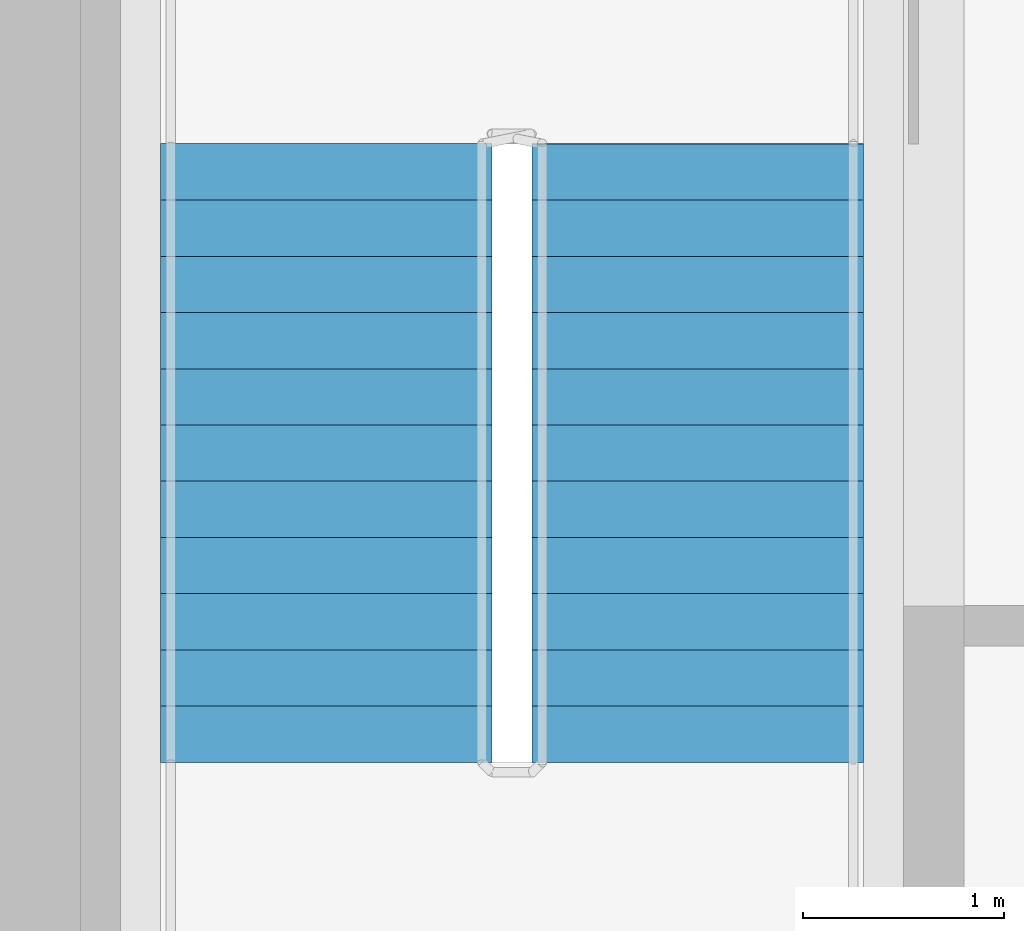
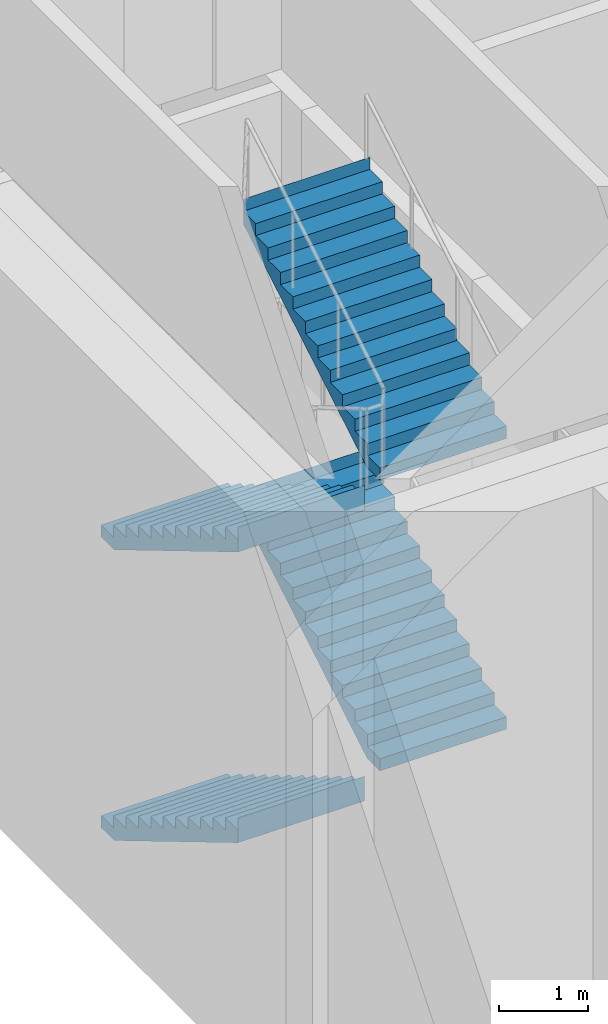
# One storey, part 4 of 7: 4 stair flights, 1 element without a shape of its own.
"""IFC4 building model written with IfcOpenShell, lengths in metres."""

from ifc_helpers import new_model, si_unit, direction, frame, origin, place, context, subcontext, project, spatial, polyline, outline, extrude, material, type_object, element, aggregate, save


model = new_model("IFC4")

# Units and contexts
model_context = context("Model", 3, precision=1e-05, world=origin(), true_north=direction((0.0, 1.0)))
body_context = subcontext(model_context, "Body", "Model", "MODEL_VIEW")
ifc_project = project(units=[si_unit("LENGTHUNIT", "METRE"), si_unit("AREAUNIT", "SQUARE_METRE"), si_unit("VOLUMEUNIT", "CUBIC_METRE"), si_unit("PLANEANGLEUNIT", "RADIAN"), si_unit("MASSUNIT", "GRAM", prefix="KILO")], contexts=[model_context])

# Site, building, storey
site_placement = place(None, origin())
site = spatial("IfcSite", under=ifc_project, at=site_placement, CompositionType="ELEMENT")
building_placement = place(site_placement, origin())
building = spatial("IfcBuilding", under=site, at=building_placement, Name="Tamorin Gate", CompositionType="ELEMENT")
storey_placement = place(building_placement, frame((0.0, 0.0, 320.199951171875)))
storey = spatial("IfcBuildingStorey", under=building, at=storey_placement, Name="L78", CompositionType="ELEMENT", Elevation=320.199951171875)

# Stair, stair flights
ifc_material = material(Name="Concrete C40/50", Category="concrete")
stair_type = type_object("IfcStairType", Name="Exit stair", PredefinedType="HALF_TURN_STAIR", material=ifc_material)
stair_placement = place(storey_placement, origin())
stair = element("IfcStair", 1, at=stair_placement, inside=storey, type_object=stair_type, Name="L78 stair ST1", PredefinedType="HALF_TURN_STAIR")
stair_flight_type = type_object("IfcStairFlightType", Name="Exit stair flight", PredefinedType="STRAIGHT", material=ifc_material)
stair_flight_1_placement = place(storey_placement, frame((31.824951171875, 66.5, 0.0), z_axis=(0.0, 0.0, 1.0), x_axis=(0.0, -1.0, 0.0)))
stair_flight_1 = element("IfcStairFlight", 2, at=stair_flight_1_placement, type_object=stair_flight_type, Name="ST1 flight 1", NumberOfRisers=12, NumberOfTreads=11, PredefinedType="STRAIGHT", RiserHeight=0.166666667, TreadLength=0.28, context=body_context, shape_type="SweptSolid", body=[
    extrude(outline(polyline([(-0.00048828125, 0.0), (-0.00048828125, 0.001708984375), (-0.00048828125, 0.00341796875), (-0.00048828125, 0.0048828125), (-0.00048828125, 0.006591796875), (-0.00048828125, 0.00830078125), (-0.00048828125, 0.010009765625), (-0.00048828125, 0.011474609375), (-0.00048828125, 0.01318359375), (-0.00048828125, 0.014892578125), (-0.00048828125, 0.0166015625), (-0.00048828125, 0.01806640625), (-0.00048828125, 0.019775390625), (-0.00048828125, 0.021484375), (-0.00048828125, 0.023193359375), (-0.00048828125, 0.024658203125), (-0.00048828125, 0.0263671875), (-0.00048828125, 0.028076171875), (-0.00048828125, 0.02978515625), (-0.00048828125, 0.03125), (-0.00048828125, 0.032958984375), (-0.00048828125, 0.03466796875), (-0.00048828125, 0.036376953125), (-0.00048828125, 0.037841796875), (-0.00048828125, 0.03955078125), (-0.00048828125, 0.041259765625), (-0.00048828125, 0.04296875), (-0.00048828125, 0.04443359375), (-0.00048828125, 0.046142578125), (-0.00048828125, 0.0478515625), (-0.00048828125, 0.049560546875), (-0.00048828125, 0.05126953125), (-0.00048828125, 0.052734375), (-0.00048828125, 0.054443359375), (-0.00048828125, 0.05615234375), (-0.00048828125, 0.057861328125), (-0.00048828125, 0.059326171875), (-0.00048828125, 0.06103515625), (-0.00048828125, 0.062744140625), (-0.00048828125, 0.064453125), (-0.00048828125, 0.06591796875), (-0.00048828125, 0.067626953125), (-0.00048828125, 0.0693359375), (-0.00048828125, 0.071044921875), (-0.00048828125, 0.072509765625), (-0.00048828125, 0.07421875), (-0.00048828125, 0.075927734375), (-0.00048828125, 0.07763671875), (-0.00048828125, 0.0791015625), (-0.00048828125, 0.080810546875), (-0.00048828125, 0.08251953125), (-0.00048828125, 0.084228515625), (-0.00048828125, 0.085693359375), (-0.00048828125, 0.08740234375), (-0.00048828125, 0.089111328125), (-0.00048828125, 0.0908203125), (-0.00048828125, 0.092529296875), (-0.00048828125, 0.093994140625), (-0.00048828125, 0.095703125), (-0.00048828125, 0.097412109375), (-0.00048828125, 0.09912109375), (-0.00048828125, 0.1005859375), (-0.00048828125, 0.102294921875), (-0.00048828125, 0.10400390625), (-0.00048828125, 0.105712890625), (-0.00048828125, 0.107177734375), (-0.00048828125, 0.10888671875), (-0.00048828125, 0.110595703125), (-0.00048828125, 0.1123046875), (-0.00048828125, 0.11376953125), (-0.00048828125, 0.115478515625), (-0.00048828125, 0.1171875), (-0.00048828125, 0.118896484375), (-0.00048828125, 0.120361328125), (-0.00048828125, 0.1220703125), (-0.00048828125, 0.123779296875), (-0.00048828125, 0.12548828125), (-0.00048828125, 0.126953125), (-0.00048828125, 0.128662109375), (-0.00048828125, 0.13037109375), (-0.00048828125, 0.132080078125), (-0.00048828125, 0.133544921875), (-0.00048828125, 0.13525390625), (-0.00048828125, 0.136962890625), (-0.00048828125, 0.138671875), (-0.00048828125, 0.140380859375), (-0.00048828125, 0.141845703125), (-0.00048828125, 0.1435546875), (-0.00048828125, 0.145263671875), (-0.00048828125, 0.14697265625), (-0.00048828125, 0.1484375), (-0.00048828125, 0.150146484375), (-0.00048828125, 0.15185546875), (-0.00048828125, 0.153564453125), (-0.00048828125, 0.155029296875), (-0.00048828125, 0.15673828125), (-0.00048828125, 0.158447265625), (-0.00048828125, 0.16015625), (-0.00048828125, 0.16162109375), (-0.00048828125, 0.163330078125), (-0.00048828125, 0.1650390625), (-0.00048828125, 0.166748046875), (0.280029296875, 0.166748046875), (0.280029296875, 0.333251953125), (0.56005859375, 0.333251953125), (0.56005859375, 0.5), (0.840087890625, 0.5), (0.840087890625, 0.666748046875), (1.1201171875, 0.666748046875), (1.1201171875, 0.833251953125), (1.39990234375, 0.833251953125), (1.39990234375, 1.0), (1.679931640625, 1.0), (1.679931640625, 1.166748046875), (1.9599609375, 1.166748046875), (1.9599609375, 1.333251953125), (2.239990234375, 1.333251953125), (2.239990234375, 1.5), (2.52001953125, 1.5), (2.52001953125, 1.666748046875), (2.800048828125, 1.666748046875), (2.800048828125, 1.833251953125), (3.080078125, 1.833251953125), (3.080078125, 2.0), (3.08056640625, 2.0), (3.08056640625, 1.99658203125), (3.08056640625, 1.9931640625), (3.08056640625, 1.98974609375), (3.08056640625, 1.986572265625), (3.08056640625, 1.983154296875), (3.08056640625, 1.979736328125), (3.08056640625, 1.976318359375), (3.08056640625, 1.972900390625), (3.08056640625, 1.969482421875), (3.08056640625, 1.96630859375), (3.08056640625, 1.962890625), (3.08056640625, 1.95947265625), (3.08056640625, 1.9560546875), (3.08056640625, 1.95263671875), (3.08056640625, 1.94921875), (3.08056640625, 1.946044921875), (3.08056640625, 1.942626953125), (3.08056640625, 1.939208984375), (3.08056640625, 1.935791015625), (3.08056640625, 1.932373046875), (3.08056640625, 1.928955078125), (3.08056640625, 1.92578125), (3.08056640625, 1.92236328125), (3.08056640625, 1.9189453125), (3.08056640625, 1.91552734375), (3.08056640625, 1.912109375), (3.08056640625, 1.90869140625), (3.08056640625, 1.905517578125), (3.08056640625, 1.902099609375), (3.08056640625, 1.898681640625), (3.08056640625, 1.895263671875), (3.08056640625, 1.891845703125), (3.08056640625, 1.888427734375), (3.08056640625, 1.88525390625), (3.08056640625, 1.8818359375), (3.08056640625, 1.87841796875), (3.08056640625, 1.875), (3.08056640625, 1.87158203125), (3.08056640625, 1.8681640625), (3.08056640625, 1.864990234375), (3.08056640625, 1.861572265625), (3.08056640625, 1.858154296875), (3.08056640625, 1.854736328125), (3.08056640625, 1.851318359375), (3.08056640625, 1.847900390625), (3.08056640625, 1.8447265625), (3.08056640625, 1.84130859375), (3.08056640625, 1.837890625), (3.08056640625, 1.83447265625), (3.08056640625, 1.8310546875), (3.08056640625, 1.82763671875), (3.08056640625, 1.824462890625), (3.08056640625, 1.821044921875), (3.08056640625, 1.817626953125), (3.08056640625, 1.814208984375), (3.08056640625, 1.810791015625), (3.08056640625, 1.807373046875), (3.08056640625, 1.80419921875), (3.08056640625, 1.80078125), (3.08056640625, 1.79736328125), (3.08056640625, 1.7939453125), (3.08056640625, 1.79052734375), (3.08056640625, 1.787109375), (3.08056640625, 1.783935546875), (3.08056640625, 1.780517578125), (3.08056640625, 1.777099609375), (3.08056640625, 1.773681640625), (3.08056640625, 1.770263671875), (3.08056640625, 1.766845703125), (3.08056640625, 1.763671875), (3.08056640625, 1.76025390625), (3.08056640625, 1.7568359375), (3.08056640625, 1.75341796875), (3.08056640625, 1.75), (3.08056640625, 1.74658203125), (3.08056640625, 1.743408203125), (3.08056640625, 1.739990234375), (3.08056640625, 1.736572265625), (3.08056640625, 1.733154296875), (3.08056640625, 1.729736328125), (3.08056640625, 1.726318359375), (3.08056640625, 1.72314453125), (3.08056640625, 1.7197265625), (3.08056640625, 1.71630859375), (3.08056640625, 1.712890625), (3.08056640625, 1.70947265625), (3.08056640625, 1.7060546875), (3.08056640625, 1.702880859375), (3.08056640625, 1.699462890625), (3.08056640625, 1.696044921875), (3.08056640625, 1.692626953125), (3.08056640625, 1.689208984375), (3.08056640625, 1.685791015625), (3.08056640625, 1.6826171875), (3.08056640625, 1.67919921875), (3.08056640625, 1.67578125), (3.08056640625, 1.67236328125), (3.08056640625, 1.6689453125), (3.08056640625, 1.66552734375), (3.08056640625, 1.662353515625), (3.08056640625, 1.658935546875), (3.080078125, 1.658935546875), (0.29296875, 0.0), (-0.00048828125, 0.0)])), frame((0.0, 0.824951171875, 0.0), z_axis=(0.0, -1.0, 0.0), x_axis=(1.0, 0.0, 0.0)), (0.0, 0.0, 1.0), 1.64990234375),
])
stair_flight_2_placement = place(storey_placement, frame((33.675048828125, 63.419921875, 2.0), z_axis=(0.0, 0.0, 1.0), x_axis=(0.0, 1.0, 0.0)))
stair_flight_2 = element("IfcStairFlight", 3, at=stair_flight_2_placement, type_object=stair_flight_type, Name="ST1 flight 2", NumberOfRisers=12, NumberOfTreads=11, PredefinedType="STRAIGHT", RiserHeight=0.166666667, TreadLength=0.28, context=body_context, shape_type="SweptSolid", body=[
    extrude(outline(polyline([(-0.00048828125, 0.0), (-0.00048828125, 0.001708984375), (-0.00048828125, 0.00341796875), (-0.00048828125, 0.0048828125), (-0.00048828125, 0.006591796875), (-0.00048828125, 0.00830078125), (-0.00048828125, 0.010009765625), (-0.00048828125, 0.011474609375), (-0.00048828125, 0.01318359375), (-0.00048828125, 0.014892578125), (-0.00048828125, 0.0166015625), (-0.00048828125, 0.01806640625), (-0.00048828125, 0.019775390625), (-0.00048828125, 0.021484375), (-0.00048828125, 0.023193359375), (-0.00048828125, 0.024658203125), (-0.00048828125, 0.0263671875), (-0.00048828125, 0.028076171875), (-0.00048828125, 0.02978515625), (-0.00048828125, 0.03125), (-0.00048828125, 0.032958984375), (-0.00048828125, 0.03466796875), (-0.00048828125, 0.036376953125), (-0.00048828125, 0.037841796875), (-0.00048828125, 0.03955078125), (-0.00048828125, 0.041259765625), (-0.00048828125, 0.04296875), (-0.00048828125, 0.04443359375), (-0.00048828125, 0.046142578125), (-0.00048828125, 0.0478515625), (-0.00048828125, 0.049560546875), (-0.00048828125, 0.05126953125), (-0.00048828125, 0.052734375), (-0.00048828125, 0.054443359375), (-0.00048828125, 0.05615234375), (-0.00048828125, 0.057861328125), (-0.00048828125, 0.059326171875), (-0.00048828125, 0.06103515625), (-0.00048828125, 0.062744140625), (-0.00048828125, 0.064453125), (-0.00048828125, 0.06591796875), (-0.00048828125, 0.067626953125), (-0.00048828125, 0.0693359375), (-0.00048828125, 0.071044921875), (-0.00048828125, 0.072509765625), (-0.00048828125, 0.07421875), (-0.00048828125, 0.075927734375), (-0.00048828125, 0.07763671875), (-0.00048828125, 0.0791015625), (-0.00048828125, 0.080810546875), (-0.00048828125, 0.08251953125), (-0.00048828125, 0.084228515625), (-0.00048828125, 0.085693359375), (-0.00048828125, 0.08740234375), (-0.00048828125, 0.089111328125), (-0.00048828125, 0.0908203125), (-0.00048828125, 0.092529296875), (-0.00048828125, 0.093994140625), (-0.00048828125, 0.095703125), (-0.00048828125, 0.097412109375), (-0.00048828125, 0.09912109375), (-0.00048828125, 0.1005859375), (-0.00048828125, 0.102294921875), (-0.00048828125, 0.10400390625), (-0.00048828125, 0.105712890625), (-0.00048828125, 0.107177734375), (-0.00048828125, 0.10888671875), (-0.00048828125, 0.110595703125), (-0.00048828125, 0.1123046875), (-0.00048828125, 0.11376953125), (-0.00048828125, 0.115478515625), (-0.00048828125, 0.1171875), (-0.00048828125, 0.118896484375), (-0.00048828125, 0.120361328125), (-0.00048828125, 0.1220703125), (-0.00048828125, 0.123779296875), (-0.00048828125, 0.12548828125), (-0.00048828125, 0.126953125), (-0.00048828125, 0.128662109375), (-0.00048828125, 0.13037109375), (-0.00048828125, 0.132080078125), (-0.00048828125, 0.133544921875), (-0.00048828125, 0.13525390625), (-0.00048828125, 0.136962890625), (-0.00048828125, 0.138671875), (-0.00048828125, 0.140380859375), (-0.00048828125, 0.141845703125), (-0.00048828125, 0.1435546875), (-0.00048828125, 0.145263671875), (-0.00048828125, 0.14697265625), (-0.00048828125, 0.1484375), (-0.00048828125, 0.150146484375), (-0.00048828125, 0.15185546875), (-0.00048828125, 0.153564453125), (-0.00048828125, 0.155029296875), (-0.00048828125, 0.15673828125), (-0.00048828125, 0.158447265625), (-0.00048828125, 0.16015625), (-0.00048828125, 0.16162109375), (-0.00048828125, 0.163330078125), (-0.00048828125, 0.1650390625), (-0.00048828125, 0.166748046875), (0.280029296875, 0.166748046875), (0.280029296875, 0.333251953125), (0.56005859375, 0.333251953125), (0.56005859375, 0.5), (0.840087890625, 0.5), (0.840087890625, 0.666748046875), (1.1201171875, 0.666748046875), (1.1201171875, 0.833251953125), (1.39990234375, 0.833251953125), (1.39990234375, 1.0), (1.679931640625, 1.0), (1.679931640625, 1.166748046875), (1.9599609375, 1.166748046875), (1.9599609375, 1.333251953125), (2.239990234375, 1.333251953125), (2.239990234375, 1.5), (2.52001953125, 1.5), (2.52001953125, 1.666748046875), (2.800048828125, 1.666748046875), (2.800048828125, 1.833251953125), (3.080078125, 1.833251953125), (3.080078125, 2.0), (3.08056640625, 2.0), (3.08056640625, 1.99658203125), (3.08056640625, 1.9931640625), (3.08056640625, 1.98974609375), (3.08056640625, 1.986572265625), (3.08056640625, 1.983154296875), (3.08056640625, 1.979736328125), (3.08056640625, 1.976318359375), (3.08056640625, 1.972900390625), (3.08056640625, 1.969482421875), (3.08056640625, 1.96630859375), (3.08056640625, 1.962890625), (3.08056640625, 1.95947265625), (3.08056640625, 1.9560546875), (3.08056640625, 1.95263671875), (3.08056640625, 1.94921875), (3.08056640625, 1.946044921875), (3.08056640625, 1.942626953125), (3.08056640625, 1.939208984375), (3.08056640625, 1.935791015625), (3.08056640625, 1.932373046875), (3.08056640625, 1.928955078125), (3.08056640625, 1.92578125), (3.08056640625, 1.92236328125), (3.08056640625, 1.9189453125), (3.08056640625, 1.91552734375), (3.08056640625, 1.912109375), (3.08056640625, 1.90869140625), (3.08056640625, 1.905517578125), (3.08056640625, 1.902099609375), (3.08056640625, 1.898681640625), (3.08056640625, 1.895263671875), (3.08056640625, 1.891845703125), (3.08056640625, 1.888427734375), (3.08056640625, 1.88525390625), (3.08056640625, 1.8818359375), (3.08056640625, 1.87841796875), (3.08056640625, 1.875), (3.08056640625, 1.87158203125), (3.08056640625, 1.8681640625), (3.08056640625, 1.864990234375), (3.08056640625, 1.861572265625), (3.08056640625, 1.858154296875), (3.08056640625, 1.854736328125), (3.08056640625, 1.851318359375), (3.08056640625, 1.847900390625), (3.08056640625, 1.8447265625), (3.08056640625, 1.84130859375), (3.08056640625, 1.837890625), (3.08056640625, 1.83447265625), (3.08056640625, 1.8310546875), (3.08056640625, 1.82763671875), (3.08056640625, 1.824462890625), (3.08056640625, 1.821044921875), (3.08056640625, 1.817626953125), (3.08056640625, 1.814208984375), (3.08056640625, 1.810791015625), (3.08056640625, 1.807373046875), (3.08056640625, 1.80419921875), (3.08056640625, 1.80078125), (3.08056640625, 1.79736328125), (3.08056640625, 1.7939453125), (3.08056640625, 1.79052734375), (3.08056640625, 1.787109375), (3.08056640625, 1.783935546875), (3.08056640625, 1.780517578125), (3.08056640625, 1.777099609375), (3.08056640625, 1.773681640625), (3.08056640625, 1.770263671875), (3.08056640625, 1.766845703125), (3.08056640625, 1.763671875), (3.08056640625, 1.76025390625), (3.08056640625, 1.7568359375), (3.08056640625, 1.75341796875), (3.08056640625, 1.75), (3.08056640625, 1.74658203125), (3.08056640625, 1.743408203125), (3.08056640625, 1.739990234375), (3.08056640625, 1.736572265625), (3.08056640625, 1.733154296875), (3.08056640625, 1.729736328125), (3.08056640625, 1.726318359375), (3.08056640625, 1.72314453125), (3.08056640625, 1.7197265625), (3.08056640625, 1.71630859375), (3.08056640625, 1.712890625), (3.08056640625, 1.70947265625), (3.08056640625, 1.7060546875), (3.08056640625, 1.702880859375), (3.08056640625, 1.699462890625), (3.08056640625, 1.696044921875), (3.08056640625, 1.692626953125), (3.08056640625, 1.689208984375), (3.08056640625, 1.685791015625), (3.08056640625, 1.6826171875), (3.08056640625, 1.67919921875), (3.08056640625, 1.67578125), (3.08056640625, 1.67236328125), (3.08056640625, 1.6689453125), (3.08056640625, 1.66552734375), (3.08056640625, 1.662353515625), (3.08056640625, 1.658935546875), (3.080078125, 1.658935546875), (0.29296875, 0.0), (-0.00048828125, 0.0)])), frame((0.0, 0.824951171875, 0.0), z_axis=(0.0, -1.0, 0.0), x_axis=(1.0, 0.0, 0.0)), (0.0, 0.0, 1.0), 1.64990234375),
])
stair_flight_3_placement = place(storey_placement, frame((31.824951171875, 66.5, 4.0), z_axis=(0.0, 0.0, 1.0), x_axis=(0.0, -1.0, 0.0)))
stair_flight_3 = element("IfcStairFlight", 4, at=stair_flight_3_placement, type_object=stair_flight_type, Name="ST1 flight 3", NumberOfRisers=12, NumberOfTreads=11, PredefinedType="STRAIGHT", RiserHeight=0.166666667, TreadLength=0.28, context=body_context, shape_type="SweptSolid", body=[
    extrude(outline(polyline([(-0.00048828125, 0.0), (-0.00048828125, 0.001708984375), (-0.00048828125, 0.00341796875), (-0.00048828125, 0.0048828125), (-0.00048828125, 0.006591796875), (-0.00048828125, 0.00830078125), (-0.00048828125, 0.010009765625), (-0.00048828125, 0.011474609375), (-0.00048828125, 0.01318359375), (-0.00048828125, 0.014892578125), (-0.00048828125, 0.0166015625), (-0.00048828125, 0.01806640625), (-0.00048828125, 0.019775390625), (-0.00048828125, 0.021484375), (-0.00048828125, 0.023193359375), (-0.00048828125, 0.024658203125), (-0.00048828125, 0.0263671875), (-0.00048828125, 0.028076171875), (-0.00048828125, 0.02978515625), (-0.00048828125, 0.03125), (-0.00048828125, 0.032958984375), (-0.00048828125, 0.03466796875), (-0.00048828125, 0.036376953125), (-0.00048828125, 0.037841796875), (-0.00048828125, 0.03955078125), (-0.00048828125, 0.041259765625), (-0.00048828125, 0.04296875), (-0.00048828125, 0.04443359375), (-0.00048828125, 0.046142578125), (-0.00048828125, 0.0478515625), (-0.00048828125, 0.049560546875), (-0.00048828125, 0.05126953125), (-0.00048828125, 0.052734375), (-0.00048828125, 0.054443359375), (-0.00048828125, 0.05615234375), (-0.00048828125, 0.057861328125), (-0.00048828125, 0.059326171875), (-0.00048828125, 0.06103515625), (-0.00048828125, 0.062744140625), (-0.00048828125, 0.064453125), (-0.00048828125, 0.06591796875), (-0.00048828125, 0.067626953125), (-0.00048828125, 0.0693359375), (-0.00048828125, 0.071044921875), (-0.00048828125, 0.072509765625), (-0.00048828125, 0.07421875), (-0.00048828125, 0.075927734375), (-0.00048828125, 0.07763671875), (-0.00048828125, 0.0791015625), (-0.00048828125, 0.080810546875), (-0.00048828125, 0.08251953125), (-0.00048828125, 0.084228515625), (-0.00048828125, 0.085693359375), (-0.00048828125, 0.08740234375), (-0.00048828125, 0.089111328125), (-0.00048828125, 0.0908203125), (-0.00048828125, 0.092529296875), (-0.00048828125, 0.093994140625), (-0.00048828125, 0.095703125), (-0.00048828125, 0.097412109375), (-0.00048828125, 0.09912109375), (-0.00048828125, 0.1005859375), (-0.00048828125, 0.102294921875), (-0.00048828125, 0.10400390625), (-0.00048828125, 0.105712890625), (-0.00048828125, 0.107177734375), (-0.00048828125, 0.10888671875), (-0.00048828125, 0.110595703125), (-0.00048828125, 0.1123046875), (-0.00048828125, 0.11376953125), (-0.00048828125, 0.115478515625), (-0.00048828125, 0.1171875), (-0.00048828125, 0.118896484375), (-0.00048828125, 0.120361328125), (-0.00048828125, 0.1220703125), (-0.00048828125, 0.123779296875), (-0.00048828125, 0.12548828125), (-0.00048828125, 0.126953125), (-0.00048828125, 0.128662109375), (-0.00048828125, 0.13037109375), (-0.00048828125, 0.132080078125), (-0.00048828125, 0.133544921875), (-0.00048828125, 0.13525390625), (-0.00048828125, 0.136962890625), (-0.00048828125, 0.138671875), (-0.00048828125, 0.140380859375), (-0.00048828125, 0.141845703125), (-0.00048828125, 0.1435546875), (-0.00048828125, 0.145263671875), (-0.00048828125, 0.14697265625), (-0.00048828125, 0.1484375), (-0.00048828125, 0.150146484375), (-0.00048828125, 0.15185546875), (-0.00048828125, 0.153564453125), (-0.00048828125, 0.155029296875), (-0.00048828125, 0.15673828125), (-0.00048828125, 0.158447265625), (-0.00048828125, 0.16015625), (-0.00048828125, 0.16162109375), (-0.00048828125, 0.163330078125), (-0.00048828125, 0.1650390625), (-0.00048828125, 0.166748046875), (0.280029296875, 0.166748046875), (0.280029296875, 0.333251953125), (0.56005859375, 0.333251953125), (0.56005859375, 0.5), (0.840087890625, 0.5), (0.840087890625, 0.666748046875), (1.1201171875, 0.666748046875), (1.1201171875, 0.833251953125), (1.39990234375, 0.833251953125), (1.39990234375, 1.0), (1.679931640625, 1.0), (1.679931640625, 1.166748046875), (1.9599609375, 1.166748046875), (1.9599609375, 1.333251953125), (2.239990234375, 1.333251953125), (2.239990234375, 1.5), (2.52001953125, 1.5), (2.52001953125, 1.666748046875), (2.800048828125, 1.666748046875), (2.800048828125, 1.833251953125), (3.080078125, 1.833251953125), (3.080078125, 2.0), (3.08056640625, 2.0), (3.08056640625, 1.99658203125), (3.08056640625, 1.9931640625), (3.08056640625, 1.98974609375), (3.08056640625, 1.986572265625), (3.08056640625, 1.983154296875), (3.08056640625, 1.979736328125), (3.08056640625, 1.976318359375), (3.08056640625, 1.972900390625), (3.08056640625, 1.969482421875), (3.08056640625, 1.96630859375), (3.08056640625, 1.962890625), (3.08056640625, 1.95947265625), (3.08056640625, 1.9560546875), (3.08056640625, 1.95263671875), (3.08056640625, 1.94921875), (3.08056640625, 1.946044921875), (3.08056640625, 1.942626953125), (3.08056640625, 1.939208984375), (3.08056640625, 1.935791015625), (3.08056640625, 1.932373046875), (3.08056640625, 1.928955078125), (3.08056640625, 1.92578125), (3.08056640625, 1.92236328125), (3.08056640625, 1.9189453125), (3.08056640625, 1.91552734375), (3.08056640625, 1.912109375), (3.08056640625, 1.90869140625), (3.08056640625, 1.905517578125), (3.08056640625, 1.902099609375), (3.08056640625, 1.898681640625), (3.08056640625, 1.895263671875), (3.08056640625, 1.891845703125), (3.08056640625, 1.888427734375), (3.08056640625, 1.88525390625), (3.08056640625, 1.8818359375), (3.08056640625, 1.87841796875), (3.08056640625, 1.875), (3.08056640625, 1.87158203125), (3.08056640625, 1.8681640625), (3.08056640625, 1.864990234375), (3.08056640625, 1.861572265625), (3.08056640625, 1.858154296875), (3.08056640625, 1.854736328125), (3.08056640625, 1.851318359375), (3.08056640625, 1.847900390625), (3.08056640625, 1.8447265625), (3.08056640625, 1.84130859375), (3.08056640625, 1.837890625), (3.08056640625, 1.83447265625), (3.08056640625, 1.8310546875), (3.08056640625, 1.82763671875), (3.08056640625, 1.824462890625), (3.08056640625, 1.821044921875), (3.08056640625, 1.817626953125), (3.08056640625, 1.814208984375), (3.08056640625, 1.810791015625), (3.08056640625, 1.807373046875), (3.08056640625, 1.80419921875), (3.08056640625, 1.80078125), (3.08056640625, 1.79736328125), (3.08056640625, 1.7939453125), (3.08056640625, 1.79052734375), (3.08056640625, 1.787109375), (3.08056640625, 1.783935546875), (3.08056640625, 1.780517578125), (3.08056640625, 1.777099609375), (3.08056640625, 1.773681640625), (3.08056640625, 1.770263671875), (3.08056640625, 1.766845703125), (3.08056640625, 1.763671875), (3.08056640625, 1.76025390625), (3.08056640625, 1.7568359375), (3.08056640625, 1.75341796875), (3.08056640625, 1.75), (3.08056640625, 1.74658203125), (3.08056640625, 1.743408203125), (3.08056640625, 1.739990234375), (3.08056640625, 1.736572265625), (3.08056640625, 1.733154296875), (3.08056640625, 1.729736328125), (3.08056640625, 1.726318359375), (3.08056640625, 1.72314453125), (3.08056640625, 1.7197265625), (3.08056640625, 1.71630859375), (3.08056640625, 1.712890625), (3.08056640625, 1.70947265625), (3.08056640625, 1.7060546875), (3.08056640625, 1.702880859375), (3.08056640625, 1.699462890625), (3.08056640625, 1.696044921875), (3.08056640625, 1.692626953125), (3.08056640625, 1.689208984375), (3.08056640625, 1.685791015625), (3.08056640625, 1.6826171875), (3.08056640625, 1.67919921875), (3.08056640625, 1.67578125), (3.08056640625, 1.67236328125), (3.08056640625, 1.6689453125), (3.08056640625, 1.66552734375), (3.08056640625, 1.662353515625), (3.08056640625, 1.658935546875), (3.080078125, 1.658935546875), (0.29296875, 0.0), (-0.00048828125, 0.0)])), frame((0.0, 0.824951171875, 0.0), z_axis=(0.0, -1.0, 0.0), x_axis=(1.0, 0.0, 0.0)), (0.0, 0.0, 1.0), 1.64990234375),
])
stair_flight_4_placement = place(storey_placement, frame((33.675048828125, 63.419921875, 6.0), z_axis=(0.0, 0.0, 1.0), x_axis=(0.0, 1.0, 0.0)))
stair_flight_4 = element("IfcStairFlight", 5, at=stair_flight_4_placement, type_object=stair_flight_type, Name="ST1 flight 4", NumberOfRisers=12, NumberOfTreads=11, PredefinedType="STRAIGHT", RiserHeight=0.166666667, TreadLength=0.28, context=body_context, shape_type="SweptSolid", body=[
    extrude(outline(polyline([(-0.00048828125, 0.0), (-0.00048828125, 0.001708984375), (-0.00048828125, 0.00341796875), (-0.00048828125, 0.0048828125), (-0.00048828125, 0.006591796875), (-0.00048828125, 0.00830078125), (-0.00048828125, 0.010009765625), (-0.00048828125, 0.011474609375), (-0.00048828125, 0.01318359375), (-0.00048828125, 0.014892578125), (-0.00048828125, 0.0166015625), (-0.00048828125, 0.01806640625), (-0.00048828125, 0.019775390625), (-0.00048828125, 0.021484375), (-0.00048828125, 0.023193359375), (-0.00048828125, 0.024658203125), (-0.00048828125, 0.0263671875), (-0.00048828125, 0.028076171875), (-0.00048828125, 0.02978515625), (-0.00048828125, 0.03125), (-0.00048828125, 0.032958984375), (-0.00048828125, 0.03466796875), (-0.00048828125, 0.036376953125), (-0.00048828125, 0.037841796875), (-0.00048828125, 0.03955078125), (-0.00048828125, 0.041259765625), (-0.00048828125, 0.04296875), (-0.00048828125, 0.04443359375), (-0.00048828125, 0.046142578125), (-0.00048828125, 0.0478515625), (-0.00048828125, 0.049560546875), (-0.00048828125, 0.05126953125), (-0.00048828125, 0.052734375), (-0.00048828125, 0.054443359375), (-0.00048828125, 0.05615234375), (-0.00048828125, 0.057861328125), (-0.00048828125, 0.059326171875), (-0.00048828125, 0.06103515625), (-0.00048828125, 0.062744140625), (-0.00048828125, 0.064453125), (-0.00048828125, 0.06591796875), (-0.00048828125, 0.067626953125), (-0.00048828125, 0.0693359375), (-0.00048828125, 0.071044921875), (-0.00048828125, 0.072509765625), (-0.00048828125, 0.07421875), (-0.00048828125, 0.075927734375), (-0.00048828125, 0.07763671875), (-0.00048828125, 0.0791015625), (-0.00048828125, 0.080810546875), (-0.00048828125, 0.08251953125), (-0.00048828125, 0.084228515625), (-0.00048828125, 0.085693359375), (-0.00048828125, 0.08740234375), (-0.00048828125, 0.089111328125), (-0.00048828125, 0.0908203125), (-0.00048828125, 0.092529296875), (-0.00048828125, 0.093994140625), (-0.00048828125, 0.095703125), (-0.00048828125, 0.097412109375), (-0.00048828125, 0.09912109375), (-0.00048828125, 0.1005859375), (-0.00048828125, 0.102294921875), (-0.00048828125, 0.10400390625), (-0.00048828125, 0.105712890625), (-0.00048828125, 0.107177734375), (-0.00048828125, 0.10888671875), (-0.00048828125, 0.110595703125), (-0.00048828125, 0.1123046875), (-0.00048828125, 0.11376953125), (-0.00048828125, 0.115478515625), (-0.00048828125, 0.1171875), (-0.00048828125, 0.118896484375), (-0.00048828125, 0.120361328125), (-0.00048828125, 0.1220703125), (-0.00048828125, 0.123779296875), (-0.00048828125, 0.12548828125), (-0.00048828125, 0.126953125), (-0.00048828125, 0.128662109375), (-0.00048828125, 0.13037109375), (-0.00048828125, 0.132080078125), (-0.00048828125, 0.133544921875), (-0.00048828125, 0.13525390625), (-0.00048828125, 0.136962890625), (-0.00048828125, 0.138671875), (-0.00048828125, 0.140380859375), (-0.00048828125, 0.141845703125), (-0.00048828125, 0.1435546875), (-0.00048828125, 0.145263671875), (-0.00048828125, 0.14697265625), (-0.00048828125, 0.1484375), (-0.00048828125, 0.150146484375), (-0.00048828125, 0.15185546875), (-0.00048828125, 0.153564453125), (-0.00048828125, 0.155029296875), (-0.00048828125, 0.15673828125), (-0.00048828125, 0.158447265625), (-0.00048828125, 0.16015625), (-0.00048828125, 0.16162109375), (-0.00048828125, 0.163330078125), (-0.00048828125, 0.1650390625), (-0.00048828125, 0.166748046875), (0.280029296875, 0.166748046875), (0.280029296875, 0.333251953125), (0.56005859375, 0.333251953125), (0.56005859375, 0.5), (0.840087890625, 0.5), (0.840087890625, 0.666748046875), (1.1201171875, 0.666748046875), (1.1201171875, 0.833251953125), (1.39990234375, 0.833251953125), (1.39990234375, 1.0), (1.679931640625, 1.0), (1.679931640625, 1.166748046875), (1.9599609375, 1.166748046875), (1.9599609375, 1.333251953125), (2.239990234375, 1.333251953125), (2.239990234375, 1.5), (2.52001953125, 1.5), (2.52001953125, 1.666748046875), (2.800048828125, 1.666748046875), (2.800048828125, 1.833251953125), (3.080078125, 1.833251953125), (3.080078125, 2.0), (3.08056640625, 2.0), (3.08056640625, 1.99658203125), (3.08056640625, 1.9931640625), (3.08056640625, 1.98974609375), (3.08056640625, 1.986572265625), (3.08056640625, 1.983154296875), (3.08056640625, 1.979736328125), (3.08056640625, 1.976318359375), (3.08056640625, 1.972900390625), (3.08056640625, 1.969482421875), (3.08056640625, 1.96630859375), (3.08056640625, 1.962890625), (3.08056640625, 1.95947265625), (3.08056640625, 1.9560546875), (3.08056640625, 1.95263671875), (3.08056640625, 1.94921875), (3.08056640625, 1.946044921875), (3.08056640625, 1.942626953125), (3.08056640625, 1.939208984375), (3.08056640625, 1.935791015625), (3.08056640625, 1.932373046875), (3.08056640625, 1.928955078125), (3.08056640625, 1.92578125), (3.08056640625, 1.92236328125), (3.08056640625, 1.9189453125), (3.08056640625, 1.91552734375), (3.08056640625, 1.912109375), (3.08056640625, 1.90869140625), (3.08056640625, 1.905517578125), (3.08056640625, 1.902099609375), (3.08056640625, 1.898681640625), (3.08056640625, 1.895263671875), (3.08056640625, 1.891845703125), (3.08056640625, 1.888427734375), (3.08056640625, 1.88525390625), (3.08056640625, 1.8818359375), (3.08056640625, 1.87841796875), (3.08056640625, 1.875), (3.08056640625, 1.87158203125), (3.08056640625, 1.8681640625), (3.08056640625, 1.864990234375), (3.08056640625, 1.861572265625), (3.08056640625, 1.858154296875), (3.08056640625, 1.854736328125), (3.08056640625, 1.851318359375), (3.08056640625, 1.847900390625), (3.08056640625, 1.8447265625), (3.08056640625, 1.84130859375), (3.08056640625, 1.837890625), (3.08056640625, 1.83447265625), (3.08056640625, 1.8310546875), (3.08056640625, 1.82763671875), (3.08056640625, 1.824462890625), (3.08056640625, 1.821044921875), (3.08056640625, 1.817626953125), (3.08056640625, 1.814208984375), (3.08056640625, 1.810791015625), (3.08056640625, 1.807373046875), (3.08056640625, 1.80419921875), (3.08056640625, 1.80078125), (3.08056640625, 1.79736328125), (3.08056640625, 1.7939453125), (3.08056640625, 1.79052734375), (3.08056640625, 1.787109375), (3.08056640625, 1.783935546875), (3.08056640625, 1.780517578125), (3.08056640625, 1.777099609375), (3.08056640625, 1.773681640625), (3.08056640625, 1.770263671875), (3.08056640625, 1.766845703125), (3.08056640625, 1.763671875), (3.08056640625, 1.76025390625), (3.08056640625, 1.7568359375), (3.08056640625, 1.75341796875), (3.08056640625, 1.75), (3.08056640625, 1.74658203125), (3.08056640625, 1.743408203125), (3.08056640625, 1.739990234375), (3.08056640625, 1.736572265625), (3.08056640625, 1.733154296875), (3.08056640625, 1.729736328125), (3.08056640625, 1.726318359375), (3.08056640625, 1.72314453125), (3.08056640625, 1.7197265625), (3.08056640625, 1.71630859375), (3.08056640625, 1.712890625), (3.08056640625, 1.70947265625), (3.08056640625, 1.7060546875), (3.08056640625, 1.702880859375), (3.08056640625, 1.699462890625), (3.08056640625, 1.696044921875), (3.08056640625, 1.692626953125), (3.08056640625, 1.689208984375), (3.08056640625, 1.685791015625), (3.08056640625, 1.6826171875), (3.08056640625, 1.67919921875), (3.08056640625, 1.67578125), (3.08056640625, 1.67236328125), (3.08056640625, 1.6689453125), (3.08056640625, 1.66552734375), (3.08056640625, 1.662353515625), (3.08056640625, 1.658935546875), (3.080078125, 1.658935546875), (0.29296875, 0.0), (-0.00048828125, 0.0)])), frame((0.0, 0.824951171875, 0.0), z_axis=(0.0, -1.0, 0.0), x_axis=(1.0, 0.0, 0.0)), (0.0, 0.0, 1.0), 1.64990234375),
])
aggregate(stair, [stair_flight_1, stair_flight_2, stair_flight_3, stair_flight_4])

save(model, "model.ifc")
